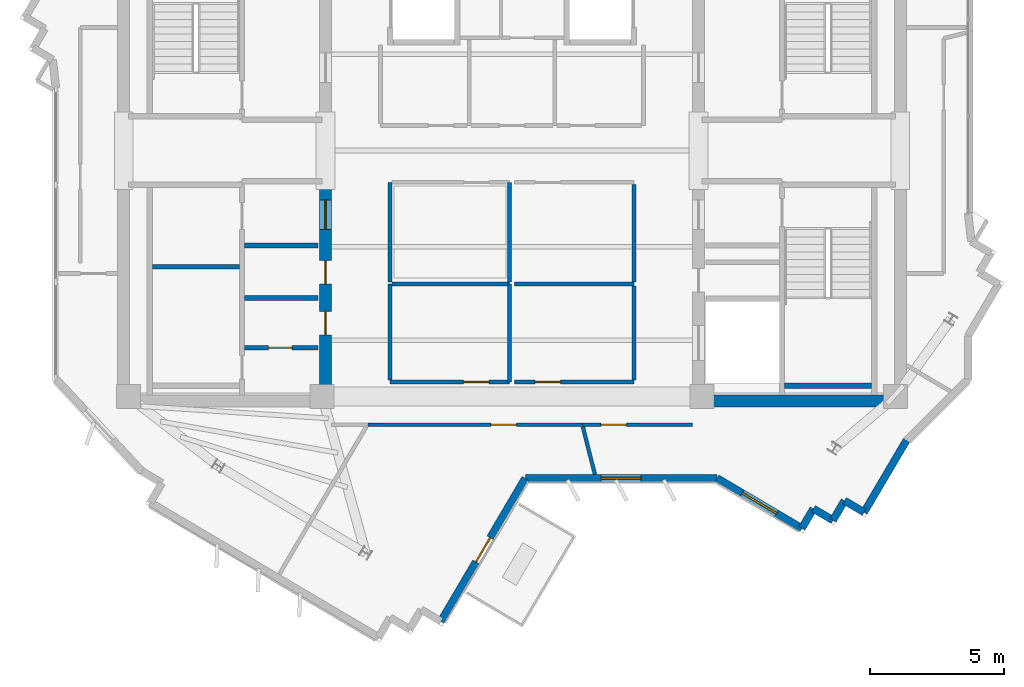
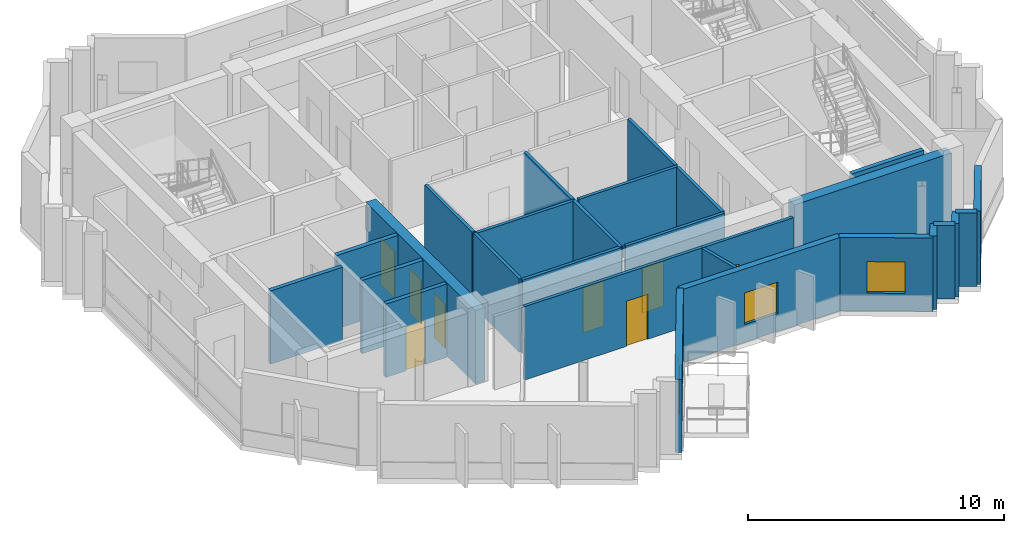
# One storey, part 4 of 10: 28 walls, 9 doors, 2 windows, 11 openings.
"""IFC4 building model written with IfcOpenShell, lengths in metres."""

import ifcopenshell
import ifcopenshell.guid

model = None  # the IFC model being written
_history = None  # IfcOwnerHistory: only IFC2X3 demands one
_inside = {}  # id of a spatial element -> (the spatial element, [elements in it])
_under = {}  # id of a project, library or spatial element -> (it, [spatial elements below it])
_declared = {}  # id of a project -> (the project, [libraries it declares])
_typed = {}  # id of a type object -> (the type object, [elements of that type])
_made_of = {}  # id of a material, layer set ... -> (it, [elements and type objects made of it])


def new_model(schema):
    """Start an empty IFC model of exactly this schema.

    Asked for "IFC4X3", IfcOpenShell would pick the latest addendum, in which some entities
    have other attributes; the version numbers below select the first issue.
    IFC2X3 requires an IfcOwnerHistory on every rooted entity: one is made here for all.
    """
    global model, _history
    if schema == "IFC4X3":
        model = ifcopenshell.file(schema_version=(4, 3, 0, 0))
    else:
        model = ifcopenshell.file(schema=schema)
    _inside.clear()
    _under.clear()
    _declared.clear()
    _typed.clear()
    _made_of.clear()
    _history = None
    if model.schema == "IFC2X3":
        org = make("IfcOrganization", Name="unknown")
        user = make(
            "IfcPersonAndOrganization",
            ThePerson=make("IfcPerson", FamilyName="unknown"),
            TheOrganization=org,
        )
        app = make(
            "IfcApplication",
            ApplicationDeveloper=org,
            Version="unknown",
            ApplicationFullName="unknown",
            ApplicationIdentifier="unknown",
        )
        _history = make(
            "IfcOwnerHistory",
            OwningUser=user,
            OwningApplication=app,
            ChangeAction="ADDED",
            CreationDate=0,
        )
    return model


def make(cls, **values):
    """One entity of the class cls with the attributes given. An attribute that is None is left unset."""
    return model.create_entity(
        cls, **{name: value for name, value in values.items() if value is not None}
    )


def rooted(cls, **values):
    """An entity with a GlobalId (a new one), such as an element, a storey or a relation."""
    return make(cls, GlobalId=ifcopenshell.guid.new(), OwnerHistory=_history, **values)


def si_unit(unit_type, name, prefix=None):
    """IfcSIUnit, for example si_unit("LENGTHUNIT", "METRE", prefix="MILLI")."""
    return make("IfcSIUnit", UnitType=unit_type, Prefix=prefix, Name=name)


def assignment(units):
    """IfcUnitAssignment: the units of a project."""
    return None if units is None else make("IfcUnitAssignment", Units=units)


def point(xyz):
    """IfcCartesianPoint."""
    return None if xyz is None else make("IfcCartesianPoint", Coordinates=xyz)


def direction(xyz):
    """IfcDirection."""
    return None if xyz is None else make("IfcDirection", DirectionRatios=xyz)


def frame(location, z_axis=None, x_axis=None):
    """IfcAxis2Placement3D, a coordinate frame: its origin and axes. An axis left out is left unset."""
    return make(
        "IfcAxis2Placement3D",
        Location=point(location),
        Axis=direction(z_axis),
        RefDirection=direction(x_axis),
    )


def frame_2d(location, x_axis=None):
    """IfcAxis2Placement2D, a coordinate frame in the plane: its origin and x axis."""
    return make(
        "IfcAxis2Placement2D", Location=point(location), RefDirection=direction(x_axis)
    )


def origin():
    """The frame at (0, 0, 0) with its axes left unset."""
    return frame((0.0, 0.0, 0.0))


def place(relative_to, where):
    """IfcLocalPlacement: puts the frame where relative to a parent placement (None: the world)."""
    return make(
        "IfcLocalPlacement", PlacementRelTo=relative_to, RelativePlacement=where
    )


def context(
    kind, dimensions, precision=None, world=None, true_north=None, identifier=None
):
    """IfcGeometricRepresentationContext, for example the 3D "Model" context."""
    return make(
        "IfcGeometricRepresentationContext",
        ContextIdentifier=identifier,
        ContextType=kind,
        CoordinateSpaceDimension=dimensions,
        Precision=precision,
        WorldCoordinateSystem=world,
        TrueNorth=true_north,
    )


def subcontext(parent, identifier, kind, view, scale=None):
    """IfcGeometricRepresentationSubContext, for example "Body" below "Model"."""
    return make(
        "IfcGeometricRepresentationSubContext",
        ContextIdentifier=identifier,
        ContextType=kind,
        ParentContext=parent,
        TargetScale=scale,
        TargetView=view,
    )


def project(units=None, contexts=None):
    """IfcProject with its units and contexts."""
    return rooted(
        "IfcProject",
        Name="project",
        RepresentationContexts=contexts,
        UnitsInContext=assignment(units),
    )


def spatial(cls, under=None, at=None, **own):
    """A site, building, storey or space (cls), placed at a placement, below another one or the project."""
    s = rooted(cls, ObjectPlacement=at, **own)
    if under is not None:
        _under.setdefault(under.id(), (under, []))[1].append(s)
    return s


def profile(cls, at=None, kind="AREA", **sizes):
    """A parametric profile (cls). Its sizes go by their IFC names, for example OverallWidth=200.0."""
    return make(cls, ProfileType=kind, Position=at, **sizes)


def rectangle(**sizes):
    """IfcRectangleProfileDef."""
    return profile("IfcRectangleProfileDef", **sizes)


def extrude(swept, where, along, depth):
    """IfcExtrudedAreaSolid: the profile swept, set in the frame where, extruded along a direction by depth."""
    return make(
        "IfcExtrudedAreaSolid",
        SweptArea=swept,
        Position=where,
        ExtrudedDirection=direction(along),
        Depth=depth,
    )


def shape(context_of_items, identifier, shape_type, items):
    """IfcShapeRepresentation: the items that make up one representation, for example the "Body"."""
    return make(
        "IfcShapeRepresentation",
        ContextOfItems=context_of_items,
        RepresentationIdentifier=identifier,
        RepresentationType=shape_type,
        Items=items,
    )


def source(mapping_origin, context_of_items, identifier, shape_type, items):
    """IfcRepresentationMap: a shape defined once, which mapped items show again and again."""
    return make(
        "IfcRepresentationMap",
        MappingOrigin=mapping_origin,
        MappedRepresentation=shape(context_of_items, identifier, shape_type, items),
    )


def transform(
    local_origin,
    x_axis=None,
    y_axis=None,
    z_axis=None,
    scale=None,
    scale2=None,
    scale3=None,
    uniform=True,
):
    """IfcCartesianTransformationOperator3D, or its non-uniform kind. x_axis, y_axis, z_axis: its Axis1, 2, 3."""
    if uniform:
        return make(
            "IfcCartesianTransformationOperator3D",
            Axis1=direction(x_axis),
            Axis2=direction(y_axis),
            LocalOrigin=point(local_origin),
            Scale=scale,
            Axis3=direction(z_axis),
        )
    return make(
        "IfcCartesianTransformationOperator3DnonUniform",
        Axis1=direction(x_axis),
        Axis2=direction(y_axis),
        LocalOrigin=point(local_origin),
        Scale=scale,
        Axis3=direction(z_axis),
        Scale2=scale2,
        Scale3=scale3,
    )


def mapped(mapping_source, mapping_target):
    """IfcMappedItem: shows the shape of a source again, moved by a transform."""
    return make(
        "IfcMappedItem", MappingSource=mapping_source, MappingTarget=mapping_target
    )


def material(Name=None, Category=None):
    """IfcMaterial."""
    return make("IfcMaterial", Name=Name, Category=Category)


def layer(
    of_material, thickness, ventilated=None, Name=None, Category=None, Priority=None
):
    """IfcMaterialLayer: one layer of a wall or slab, of a material (None: an air gap)."""
    return make(
        "IfcMaterialLayer",
        Material=of_material,
        LayerThickness=thickness,
        IsVentilated=ventilated,
        Name=Name,
        Category=Category,
        Priority=Priority,
    )


def layer_set(layers, Name=None):
    """IfcMaterialLayerSet."""
    return make("IfcMaterialLayerSet", MaterialLayers=layers, LayerSetName=Name)


def made_of(thing, what):
    """Note that an element or type object is made of a material, layer set ...; save() writes the relation."""
    if what is not None:
        _made_of.setdefault(what.id(), (what, []))[1].append(thing)
    return thing


def type_object(cls, material=None, **own):
    """A type object (cls), such as IfcWallType, which elements share."""
    return made_of(rooted(cls, **own), material)


def element(
    cls,
    number,
    at=None,
    inside=None,
    cuts=None,
    type_object=None,
    material=None,
    context=None,
    identifier="Body",
    shape_type=None,
    held_by="IfcProductDefinitionShape",
    body=None,
    shapes=None,
    **own,
):
    """One element of the class cls, such as IfcWall. Its Tag is "e" and its number.

    at: its placement. inside: the storey or other place that contains it. cuts: it is an
    opening in that element (IfcRelVoidsElement). A single representation is given by context,
    identifier, shape_type and body (its items); several are given by shapes. held_by: the class
    of the entity that holds the representations. save() writes the other relations.
    """
    e = rooted(cls, Tag="e%d" % number, ObjectPlacement=at, **own)
    if body is not None:
        shapes = [shape(context, identifier, shape_type, body)]
    if shapes is not None:
        e.Representation = make(held_by, Representations=shapes)
    if inside is not None:
        _inside.setdefault(inside.id(), (inside, []))[1].append(e)
    if cuts is not None:
        rooted(
            "IfcRelVoidsElement", RelatingBuildingElement=cuts, RelatedOpeningElement=e
        )
    if type_object is not None:
        _typed.setdefault(type_object.id(), (type_object, []))[1].append(e)
    return made_of(e, material)


def fill(opening, filler):
    """IfcRelFillsElement: the door or window that sits in an opening."""
    return rooted(
        "IfcRelFillsElement",
        RelatingOpeningElement=opening,
        RelatedBuildingElement=filler,
    )


def aggregate(whole, parts):
    """IfcRelAggregates: a whole, such as a stair, and the parts it consists of."""
    return rooted("IfcRelAggregates", RelatingObject=whole, RelatedObjects=parts)


def save(model, path):
    """Write the relations noted so far, then the file.

    IfcRelAggregates (storeys below a building ...), IfcRelContainedInSpatialStructure (elements
    in a storey), IfcRelDefinesByType, IfcRelAssociatesMaterial and IfcRelDeclares: one each for
    every whole, place, type object, material and project.
    """
    for whole, parts in _under.values():
        aggregate(whole, parts)
    for where, things in _inside.values():
        rooted(
            "IfcRelContainedInSpatialStructure",
            RelatedElements=things,
            RelatingStructure=where,
        )
    for kind, things in _typed.values():
        rooted("IfcRelDefinesByType", RelatedObjects=things, RelatingType=kind)
    for what, things in _made_of.values():
        rooted("IfcRelAssociatesMaterial", RelatedObjects=things, RelatingMaterial=what)
    for by, libraries in _declared.values():
        rooted("IfcRelDeclares", RelatingContext=by, RelatedDefinitions=libraries)
    model.write(path)


model = new_model("IFC4")

# Units and contexts
model_context = context("Model", 3, precision=1e-05, world=origin(), true_north=direction((0.0, 1.0)))
body_context = subcontext(model_context, "Body", "Model", "MODEL_VIEW")
ifc_project = project(units=[si_unit("LENGTHUNIT", "METRE"), si_unit("AREAUNIT", "SQUARE_METRE"), si_unit("VOLUMEUNIT", "CUBIC_METRE"), si_unit("PLANEANGLEUNIT", "RADIAN"), si_unit("MASSUNIT", "GRAM", prefix="KILO")], contexts=[model_context])

# Site, building, storey
site_placement = place(None, origin())
site = spatial("IfcSite", under=ifc_project, at=site_placement, CompositionType="ELEMENT")
building_placement = place(site_placement, origin())
building = spatial("IfcBuilding", under=site, at=building_placement, Name="Zahravan Cultural Tower", CompositionType="ELEMENT")
storey_placement = place(building_placement, frame((0.0, 0.0, 342.300048828125)))
storey = spatial("IfcBuildingStorey", under=building, at=storey_placement, Name="L83", CompositionType="ELEMENT", Elevation=342.300048828125)

# Wall, openings, doors
ifc_material_1 = material(Name="Concrete C50/60", Category="concrete")
ifc_layer_1 = layer(ifc_material_1, 0.449951171875)
ifc_layer_set_1 = layer_set([ifc_layer_1], Name="Concrete C50/60")
wall_type_1 = type_object("IfcWallType", Name="CW-SHEAR-450-C50", PredefinedType="SHEAR", material=ifc_layer_set_1)
wall_1_placement = place(storey_placement, frame((29.02490234375, 17.39990234375, 0.0), z_axis=(0.0, 0.0, 1.0), x_axis=(0.0, 1.0, 0.0)))
wall_1 = element("IfcWall", 1, at=wall_1_placement, inside=storey, type_object=wall_type_1, Name="L83 Core Shear Wall CW-W-ES-L83", PredefinedType="SHEAR", context=body_context, shape_type="SweptSolid", body=[
    extrude(rectangle(XDim=8.550048828125, YDim=0.449951171875, at=frame_2d((4.27490234375, 0.0))), origin(), (0.0, 0.0, 1.0), 3.5),
])
opening_1_placement = place(wall_1_placement, frame((6.64990234375, 0.0, 0.0)))
opening_1 = element("IfcOpeningElement", 2, at=opening_1_placement, cuts=wall_1, Name="Opening D-L83-08", PredefinedType="OPENING", context=body_context, shape_type="SweptSolid", body=[
    extrude(rectangle(XDim=1.10009765625, YDim=2.199951171875, at=frame_2d((0.550048828125, 1.10009765625))), frame((0.0, 0.23486328125, 0.0), z_axis=(0.0, -1.0, 0.0), x_axis=(1.0, 0.0, 0.0)), (0.0, 0.0, 1.0), 0.469970703125),
])
opening_2_placement = place(wall_1_placement, frame((2.699951171875, 0.0, 0.0)))
opening_2 = element("IfcOpeningElement", 3, at=opening_2_placement, cuts=wall_1, Name="Opening D-L83-11", PredefinedType="OPENING", context=body_context, shape_type="SweptSolid", body=[
    extrude(rectangle(XDim=0.8798828125, YDim=2.10009765625, at=frame_2d((0.43994140625, 1.050048828125))), frame((0.0, 0.23486328125, 0.0), z_axis=(0.0, -1.0, 0.0), x_axis=(1.0, 0.0, 0.0)), (0.0, 0.0, 1.0), 0.469970703125),
])
opening_3_placement = place(wall_1_placement, frame((4.60009765625, 0.0, 0.0)))
opening_3 = element("IfcOpeningElement", 4, at=opening_3_placement, cuts=wall_1, Name="Opening D-L83-12", PredefinedType="OPENING", context=body_context, shape_type="SweptSolid", body=[
    extrude(rectangle(XDim=0.8798828125, YDim=2.10009765625, at=frame_2d((0.43994140625, 1.050048828125))), frame((0.0, 0.23486328125, 0.0), z_axis=(0.0, -1.0, 0.0), x_axis=(1.0, 0.0, 0.0)), (0.0, 0.0, 1.0), 0.469970703125),
])
ifc_material_2 = material(Name="Steel ASTM A572 Grade 50", Category="steel")
door_type_1 = type_object("IfcDoorType", Name="DR-LOBBY-1100", OperationType="NOTDEFINED", PredefinedType="DOOR", material=ifc_material_2)
shared_shape_1 = source(origin(), body_context, "Body", "SweptSolid", [
    extrude(rectangle(XDim=1.10009765625, YDim=2.199951171875, at=frame_2d((0.550048828125, 1.10009765625))), frame((0.0, 0.02490234375, 0.0), z_axis=(0.0, -1.0, 0.0), x_axis=(1.0, 0.0, 0.0)), (0.0, 0.0, 1.0), 0.050048828125),
])
door_1_placement = place(opening_1_placement, origin())
door_1 = element("IfcDoor", 5, at=door_1_placement, inside=storey, type_object=door_type_1, Name="L83 Door D-L83-08", OperationType="SINGLE_SWING_LEFT", OverallHeight=2.199951171875, OverallWidth=1.10009765625, PredefinedType="DOOR", context=body_context, shape_type="MappedRepresentation", body=[
    mapped(shared_shape_1, transform((0.0, 0.0, 0.0), x_axis=(1.0, 0.0, 0.0), y_axis=(0.0, 1.0, 0.0), z_axis=(0.0, 0.0, 1.0), scale=1.0)),
])
fill(opening_1, door_1)
door_type_2 = type_object("IfcDoorType", Name="DR-SVC-880", OperationType="NOTDEFINED", PredefinedType="DOOR", material=ifc_material_2)
shared_shape_2 = source(origin(), body_context, "Body", "SweptSolid", [
    extrude(rectangle(XDim=0.8798828125, YDim=2.10009765625, at=frame_2d((0.43994140625, 1.050048828125))), frame((0.0, 0.02490234375, 0.0), z_axis=(0.0, -1.0, 0.0), x_axis=(1.0, 0.0, 0.0)), (0.0, 0.0, 1.0), 0.050048828125),
])
door_2_placement = place(opening_2_placement, origin())
door_2 = element("IfcDoor", 6, at=door_2_placement, inside=storey, type_object=door_type_2, Name="L83 Door D-L83-11", OperationType="SINGLE_SWING_RIGHT", OverallHeight=2.10009765625, OverallWidth=0.8798828125, PredefinedType="DOOR", context=body_context, shape_type="MappedRepresentation", body=[
    mapped(shared_shape_2, transform((0.0, 0.0, 0.0), x_axis=(1.0, 0.0, 0.0), y_axis=(0.0, 1.0, 0.0), z_axis=(0.0, 0.0, 1.0), scale=1.0)),
])
fill(opening_2, door_2)
door_3_placement = place(opening_3_placement, origin())
door_3 = element("IfcDoor", 7, at=door_3_placement, inside=storey, type_object=door_type_2, Name="L83 Door D-L83-12", OperationType="SINGLE_SWING_LEFT", OverallHeight=2.10009765625, OverallWidth=0.8798828125, PredefinedType="DOOR", context=body_context, shape_type="MappedRepresentation", body=[
    mapped(shared_shape_2, transform((0.0, 0.0, 0.0), x_axis=(1.0, 0.0, 0.0), y_axis=(0.0, 1.0, 0.0), z_axis=(0.0, 0.0, 1.0), scale=1.0)),
])
fill(opening_3, door_3)

# Wall, opening, window
ifc_material_3 = material(Name="Precast concrete C40/50", Category="concrete")
ifc_layer_2 = layer(ifc_material_3, 0.280029296875)
ifc_layer_set_2 = layer_set([ifc_layer_2], Name="Precast concrete C40/50")
wall_type_2 = type_object("IfcWallType", Name="EW-TC-280", PredefinedType="SOLIDWALL", material=ifc_layer_set_2)
wall_2_placement = place(storey_placement, frame((46.841552734375, 12.867431640625, 0.0), z_axis=(0.0, 0.0, 1.0), x_axis=(-0.861166561994, 0.508322882137, 0.0)))
wall_2 = element("IfcWall", 8, at=wall_2_placement, inside=storey, type_object=wall_type_2, Name="L83 Exterior Masonry Frame Wall 22", PredefinedType="SOLIDWALL", context=body_context, shape_type="SweptSolid", body=[
    extrude(rectangle(XDim=3.683837890625, YDim=0.280029296875, at=frame_2d((1.841796875, 0.0))), origin(), (0.0, 0.0, 1.0), 3.5),
])
opening_4_placement = place(wall_2_placement, frame((1.092041015625, 0.0, 0.85009765625)))
opening_4 = element("IfcOpeningElement", 9, at=opening_4_placement, cuts=wall_2, Name="Opening WN-03", PredefinedType="OPENING", context=body_context, shape_type="SweptSolid", body=[
    extrude(rectangle(XDim=1.5, YDim=1.5, at=frame_2d((0.75, 0.75))), frame((0.0, 0.14990234375, 0.0), z_axis=(0.0, -1.0, 0.0), x_axis=(1.0, 0.0, 0.0)), (0.0, 0.0, 1.0), 0.300048828125),
])
ifc_material_4 = material(Name="Low-E solar-control double glazing", Category="glass")
window_type = type_object("IfcWindowType", Name="WN-REC-1500X1500", PartitioningType="SINGLE_PANEL", PredefinedType="WINDOW", material=ifc_material_4)
shared_shape_3 = source(origin(), body_context, "Body", "SweptSolid", [
    extrude(rectangle(XDim=1.5, YDim=1.5, at=frame_2d((0.75, 0.75))), frame((0.0, 0.030029296875, 0.0), z_axis=(0.0, -1.0, 0.0), x_axis=(1.0, 0.0, 0.0)), (0.0, 0.0, 1.0), 0.06005859375),
])
window_1_placement = place(opening_4_placement, origin())
window_1 = element("IfcWindow", 10, at=window_1_placement, inside=storey, type_object=window_type, Name="L83 Recessed Solar Window 04", OverallHeight=1.5, OverallWidth=1.5, PartitioningType="SINGLE_PANEL", PredefinedType="WINDOW", context=body_context, shape_type="MappedRepresentation", body=[
    mapped(shared_shape_3, transform((0.0, 0.0, 0.0), x_axis=(1.0, 0.0, 0.0), y_axis=(0.0, 1.0, 0.0), z_axis=(0.0, 0.0, 1.0), scale=1.0)),
])
fill(opening_4, window_1)

wall_3_placement = place(storey_placement, frame((43.669189453125, 14.739990234375, 0.0), z_axis=(0.0, 0.0, 1.0), x_axis=(-1.0, 0.0, 0.0)))
wall_3 = element("IfcWall", 11, at=wall_3_placement, inside=storey, type_object=wall_type_2, Name="L83 Exterior Masonry Frame Wall 23", PredefinedType="SOLIDWALL", context=body_context, shape_type="SweptSolid", body=[
    extrude(rectangle(XDim=7.171875, YDim=0.280029296875, at=frame_2d((3.5859375, 0.0))), origin(), (0.0, 0.0, 1.0), 3.5),
])
opening_5_placement = place(wall_3_placement, frame((2.8359375, 0.0, 0.85009765625)))
opening_5 = element("IfcOpeningElement", 12, at=opening_5_placement, cuts=wall_3, Name="Opening WN-03", PredefinedType="OPENING", context=body_context, shape_type="SweptSolid", body=[
    extrude(rectangle(XDim=1.5, YDim=1.5, at=frame_2d((0.75, 0.75))), frame((0.0, 0.14990234375, 0.0), z_axis=(0.0, -1.0, 0.0), x_axis=(1.0, 0.0, 0.0)), (0.0, 0.0, 1.0), 0.300048828125),
])
window_2_placement = place(opening_5_placement, origin())
window_2 = element("IfcWindow", 13, at=window_2_placement, inside=storey, type_object=window_type, Name="L83 Recessed Solar Window 05", OverallHeight=1.5, OverallWidth=1.5, PartitioningType="SINGLE_PANEL", PredefinedType="WINDOW", context=body_context, shape_type="MappedRepresentation", body=[
    mapped(shared_shape_3, transform((0.0, 0.0, 0.0), x_axis=(1.0, 0.0, 0.0), y_axis=(0.0, 1.0, 0.0), z_axis=(0.0, 0.0, 1.0), scale=1.0)),
])
fill(opening_5, window_2)

# Wall, opening, door
wall_4_placement = place(storey_placement, frame((36.497314453125, 14.739990234375, 0.0), z_axis=(0.0, 0.0, 1.0), x_axis=(-0.508266003384, -0.861200133421, 0.0)))
wall_4 = element("IfcWall", 14, at=wall_4_placement, inside=storey, type_object=wall_type_2, Name="L83 Exterior Masonry Frame Wall 24", PredefinedType="SOLIDWALL", context=body_context, shape_type="SweptSolid", body=[
    extrude(rectangle(XDim=6.214599609375, YDim=0.280029296875, at=frame_2d((3.107421875, 0.0))), origin(), (0.0, 0.0, 1.0), 3.5),
])
opening_6_placement = place(wall_4_placement, frame((2.58203125, 0.0, 0.0)))
opening_6 = element("IfcOpeningElement", 15, at=opening_6_placement, cuts=wall_4, Name="Opening D-L83-TR-SW", PredefinedType="OPENING", context=body_context, shape_type="SweptSolid", body=[
    extrude(rectangle(XDim=1.050048828125, YDim=2.14990234375, at=frame_2d((0.52490234375, 1.074951171875))), frame((0.0, 0.14990234375, 0.0), z_axis=(0.0, -1.0, 0.0), x_axis=(1.0, 0.0, 0.0)), (0.0, 0.0, 1.0), 0.300048828125),
])
ifc_material_5 = material(Name="Anodised bronze-aluminium mullion", Category="aluminium")
door_type_3 = type_object("IfcDoorType", Name="DR-TERR-1050", OperationType="NOTDEFINED", PredefinedType="DOOR", material=ifc_material_5)
shared_shape_4 = source(origin(), body_context, "Body", "SweptSolid", [
    extrude(rectangle(XDim=1.050048828125, YDim=2.14990234375, at=frame_2d((0.52490234375, 1.074951171875))), frame((0.0, 0.02490234375, 0.0), z_axis=(0.0, -1.0, 0.0), x_axis=(1.0, 0.0, 0.0)), (0.0, 0.0, 1.0), 0.050048828125),
])
door_4_placement = place(opening_6_placement, origin())
door_4 = element("IfcDoor", 16, at=door_4_placement, inside=storey, type_object=door_type_3, Name="L83 Terrace Access Door SW", OperationType="SINGLE_SWING_RIGHT", OverallHeight=2.14990234375, OverallWidth=1.050048828125, PredefinedType="DOOR", context=body_context, shape_type="MappedRepresentation", body=[
    mapped(shared_shape_4, transform((0.0, 0.0, 0.0), x_axis=(1.0, 0.0, 0.0), y_axis=(0.0, 1.0, 0.0), z_axis=(0.0, 0.0, 1.0), scale=1.0)),
])
fill(opening_6, door_4)

ifc_material_6 = material(Name="Gypsum plasterboard partition")
ifc_layer_3 = layer(ifc_material_6, 0.179931640625)
ifc_layer_set_3 = layer_set([ifc_layer_3], Name="Gypsum plasterboard partition")
wall_type_3 = type_object("IfcWallType", Name="W-COMP-180", PredefinedType="PARTITIONING", material=ifc_layer_set_3)
wall_5_placement = place(storey_placement, frame((26.0, 19.6201171875, 0.0), z_axis=(0.0, 0.0, 1.0), x_axis=(1.0, 0.0, 0.0)))
wall_5 = element("IfcWall", 17, at=wall_5_placement, inside=storey, type_object=wall_type_3, Name="L83 Interior Wall 027", PredefinedType="PARTITIONING", context=body_context, shape_type="SweptSolid", body=[
    extrude(rectangle(XDim=2.75, YDim=0.179931640625, at=frame_2d((1.375, 0.0))), origin(), (0.0, 0.0, 1.0), 3.5),
])
opening_7_placement = place(wall_5_placement, frame((0.89990234375, 0.0, 0.0)))
opening_7 = element("IfcOpeningElement", 18, at=opening_7_placement, cuts=wall_5, Name="Opening D-L83-10", PredefinedType="OPENING", context=body_context, shape_type="SweptSolid", body=[
    extrude(rectangle(XDim=0.8798828125, YDim=2.10009765625, at=frame_2d((0.43994140625, 1.050048828125))), frame((0.0, 0.099853515625, 0.0), z_axis=(0.0, -1.0, 0.0), x_axis=(1.0, 0.0, 0.0)), (0.0, 0.0, 1.0), 0.199951171875),
])
door_5_placement = place(opening_7_placement, origin())
door_5 = element("IfcDoor", 19, at=door_5_placement, inside=storey, type_object=door_type_2, Name="L83 Door D-L83-10", OperationType="SINGLE_SWING_LEFT", OverallHeight=2.10009765625, OverallWidth=0.8798828125, PredefinedType="DOOR", context=body_context, shape_type="MappedRepresentation", body=[
    mapped(shared_shape_2, transform((0.0, 0.0, 0.0), x_axis=(1.0, 0.0, 0.0), y_axis=(0.0, 1.0, 0.0), z_axis=(0.0, 0.0, 1.0), scale=1.0)),
])
fill(opening_7, door_5)

ifc_layer_4 = layer(ifc_material_6, 0.139892578125)
ifc_layer_set_4 = layer_set([ifc_layer_4], Name="Gypsum plasterboard partition")
wall_type_4 = type_object("IfcWallType", Name="W-PART-140", PredefinedType="PARTITIONING", material=ifc_layer_set_4)
wall_6_placement = place(storey_placement, frame((35.909912109375, 18.340087890625, 0.0), z_axis=(0.0, 0.0, 1.0), x_axis=(-1.0, 0.0, 0.0)))
wall_6 = element("IfcWall", 20, at=wall_6_placement, inside=storey, type_object=wall_type_4, Name="L83 Interior Wall 058", PredefinedType="PARTITIONING", context=body_context, shape_type="SweptSolid", body=[
    extrude(rectangle(XDim=4.469970703125, YDim=0.139892578125, at=frame_2d((2.23486328125, 0.0))), origin(), (0.0, 0.0, 1.0), 3.5),
])
opening_8_placement = place(wall_6_placement, frame((0.7744140625, 0.0, 0.0)))
opening_8 = element("IfcOpeningElement", 21, at=opening_8_placement, cuts=wall_6, Name="Opening D-L83-14", PredefinedType="OPENING", context=body_context, shape_type="SweptSolid", body=[
    extrude(rectangle(XDim=0.949951171875, YDim=2.14990234375, at=frame_2d((0.47509765625, 1.074951171875))), frame((0.0, 0.079833984375, 0.0), z_axis=(0.0, -1.0, 0.0), x_axis=(1.0, 0.0, 0.0)), (0.0, 0.0, 1.0), 0.159912109375),
])
door_type_4 = type_object("IfcDoorType", Name="DR-ROOM-950", OperationType="NOTDEFINED", PredefinedType="DOOR", material=ifc_material_5)
shared_shape_5 = source(origin(), body_context, "Body", "SweptSolid", [
    extrude(rectangle(XDim=0.949951171875, YDim=2.14990234375, at=frame_2d((0.47509765625, 1.074951171875))), frame((0.0, 0.02490234375, 0.0), z_axis=(0.0, -1.0, 0.0), x_axis=(1.0, 0.0, 0.0)), (0.0, 0.0, 1.0), 0.050048828125),
])
door_6_placement = place(opening_8_placement, origin())
door_6 = element("IfcDoor", 22, at=door_6_placement, inside=storey, type_object=door_type_4, Name="L83 Door D-L83-14", OperationType="SINGLE_SWING_LEFT", OverallHeight=2.14990234375, OverallWidth=0.949951171875, PredefinedType="DOOR", context=body_context, shape_type="MappedRepresentation", body=[
    mapped(shared_shape_5, transform((0.0, 0.0, 0.0), x_axis=(1.0, 0.0, 0.0), y_axis=(0.0, 1.0, 0.0), z_axis=(0.0, 0.0, 1.0), scale=1.0)),
])
fill(opening_8, door_6)

wall_7_placement = place(storey_placement, frame((40.56005859375, 18.340087890625, 0.0), z_axis=(0.0, 0.0, 1.0), x_axis=(-1.0, 0.0, 0.0)))
wall_7 = element("IfcWall", 23, at=wall_7_placement, inside=storey, type_object=wall_type_4, Name="L83 Interior Wall 062", PredefinedType="PARTITIONING", context=body_context, shape_type="SweptSolid", body=[
    extrude(rectangle(XDim=4.469970703125, YDim=0.139892578125, at=frame_2d((2.23486328125, 0.0))), origin(), (0.0, 0.0, 1.0), 3.5),
])
opening_9_placement = place(wall_7_placement, frame((2.74560546875, 0.0, 0.0)))
opening_9 = element("IfcOpeningElement", 24, at=opening_9_placement, cuts=wall_7, Name="Opening D-L83-16", PredefinedType="OPENING", context=body_context, shape_type="SweptSolid", body=[
    extrude(rectangle(XDim=0.949951171875, YDim=2.14990234375, at=frame_2d((0.47509765625, 1.074951171875))), frame((0.0, 0.079833984375, 0.0), z_axis=(0.0, -1.0, 0.0), x_axis=(1.0, 0.0, 0.0)), (0.0, 0.0, 1.0), 0.159912109375),
])
door_7_placement = place(opening_9_placement, origin())
door_7 = element("IfcDoor", 25, at=door_7_placement, inside=storey, type_object=door_type_4, Name="L83 Door D-L83-16", OperationType="SINGLE_SWING_LEFT", OverallHeight=2.14990234375, OverallWidth=0.949951171875, PredefinedType="DOOR", context=body_context, shape_type="MappedRepresentation", body=[
    mapped(shared_shape_5, transform((0.0, 0.0, 0.0), x_axis=(1.0, 0.0, 0.0), y_axis=(0.0, 1.0, 0.0), z_axis=(0.0, 0.0, 1.0), scale=1.0)),
])
fill(opening_9, door_7)

wall_8_placement = place(storey_placement, frame((38.632080078125, 16.739990234375, 0.0), z_axis=(0.0, 0.0, 1.0), x_axis=(1.0, 0.0, 0.0)))
wall_8 = element("IfcWall", 26, at=wall_8_placement, inside=storey, type_object=wall_type_4, Name="L83 Interior Wall 076", PredefinedType="PARTITIONING", context=body_context, shape_type="SweptSolid", body=[
    extrude(rectangle(XDim=4.112060546875, YDim=0.139892578125, at=frame_2d((2.05615234375, 0.0))), origin(), (0.0, 0.0, 1.0), 3.5),
])
opening_10_placement = place(wall_8_placement, frame((0.695556640625, 0.0, 0.0)))
opening_10 = element("IfcOpeningElement", 27, at=opening_10_placement, cuts=wall_8, Name="Opening D-L83-27", PredefinedType="OPENING", context=body_context, shape_type="SweptSolid", body=[
    extrude(rectangle(XDim=0.949951171875, YDim=2.14990234375, at=frame_2d((0.47509765625, 1.074951171875))), frame((0.0, 0.079833984375, 0.0), z_axis=(0.0, -1.0, 0.0), x_axis=(1.0, 0.0, 0.0)), (0.0, 0.0, 1.0), 0.159912109375),
])
door_8_placement = place(opening_10_placement, origin())
door_8 = element("IfcDoor", 28, at=door_8_placement, inside=storey, type_object=door_type_4, Name="L83 Door D-L83-27", OperationType="SINGLE_SWING_RIGHT", OverallHeight=2.14990234375, OverallWidth=0.949951171875, PredefinedType="DOOR", context=body_context, shape_type="MappedRepresentation", body=[
    mapped(shared_shape_5, transform((0.0, 0.0, 0.0), x_axis=(1.0, 0.0, 0.0), y_axis=(0.0, 1.0, 0.0), z_axis=(0.0, 0.0, 1.0), scale=1.0)),
])
fill(opening_10, door_8)

wall_9_placement = place(storey_placement, frame((30.617919921875, 16.739990234375, 0.0), z_axis=(0.0, 0.0, 1.0), x_axis=(1.0, 0.0, 0.0)))
wall_9 = element("IfcWall", 29, at=wall_9_placement, inside=storey, type_object=wall_type_4, Name="L83 Interior Wall 081", PredefinedType="PARTITIONING", context=body_context, shape_type="SweptSolid", body=[
    extrude(rectangle(XDim=8.01416015625, YDim=0.139892578125, at=frame_2d((4.007080078125, 0.0))), origin(), (0.0, 0.0, 1.0), 3.5),
])
opening_11_placement = place(wall_9_placement, frame((4.591796875, 0.0, 0.0)))
opening_11 = element("IfcOpeningElement", 30, at=opening_11_placement, cuts=wall_9, Name="Opening D-L83-26", PredefinedType="OPENING", context=body_context, shape_type="SweptSolid", body=[
    extrude(rectangle(XDim=0.949951171875, YDim=2.14990234375, at=frame_2d((0.47509765625, 1.074951171875))), frame((0.0, 0.079833984375, 0.0), z_axis=(0.0, -1.0, 0.0), x_axis=(1.0, 0.0, 0.0)), (0.0, 0.0, 1.0), 0.159912109375),
])
door_9_placement = place(opening_11_placement, origin())
door_9 = element("IfcDoor", 31, at=door_9_placement, inside=storey, type_object=door_type_4, Name="L83 Door D-L83-26", OperationType="SINGLE_SWING_LEFT", OverallHeight=2.14990234375, OverallWidth=0.949951171875, PredefinedType="DOOR", context=body_context, shape_type="MappedRepresentation", body=[
    mapped(shared_shape_5, transform((0.0, 0.0, 0.0), x_axis=(1.0, 0.0, 0.0), y_axis=(0.0, 1.0, 0.0), z_axis=(0.0, 0.0, 1.0), scale=1.0)),
])
fill(opening_11, door_9)

# Walls
shared_shape_6 = source(origin(), body_context, "Body", "SweptSolid", [
    extrude(rectangle(XDim=7.10009765625, YDim=0.449951171875, at=frame_2d((3.550048828125, 0.0))), origin(), (0.0, 0.0, 1.0), 3.5),
])
wall_10_placement = place(storey_placement, frame((43.199951171875, 17.625, 0.0), z_axis=(0.0, 0.0, 1.0), x_axis=(1.0, 0.0, 0.0)))
element("IfcWall", 32, at=wall_10_placement, inside=storey, type_object=wall_type_1, Name="L83 Core Shear Wall CW-E-S-L83", PredefinedType="SHEAR", context=body_context, shape_type="MappedRepresentation", body=[
    mapped(shared_shape_6, transform((0.0, 0.0, 0.0), x_axis=(1.0, 0.0, 0.0), y_axis=(0.0, 1.0, 0.0), z_axis=(0.0, 0.0, 1.0), scale=1.0)),
])
shared_shape_7 = source(origin(), body_context, "Body", "SweptSolid", [
    extrude(rectangle(XDim=0.85009765625, YDim=0.280029296875, at=frame_2d((0.425048828125, 0.0))), origin(), (0.0, 0.0, 1.0), 3.5),
])
for number, where, z_axis, x_axis, name in (
    (33, (49.169677734375, 13.46728515625, 0.0), (0.0, 0.0, 1.0), (-0.861120885632, 0.508400256027, 0.0), "L83 Exterior Masonry Frame Wall 18"),
    (34, (48.437744140625, 13.8994140625, 0.0), (0.0, 0.0, 1.0), (-0.508400256027, -0.861120885632, 0.0), "L83 Exterior Masonry Frame Wall 19"),
    (35, (48.005615234375, 13.16748046875, 0.0), (0.0, 0.0, 1.0), (-0.861120885632, 0.508400256027, 0.0), "L83 Exterior Masonry Frame Wall 20"),
    (36, (47.273681640625, 13.599609375, 0.0), (0.0, 0.0, 1.0), (-0.508274533332, -0.861195099131, 0.0), "L83 Exterior Masonry Frame Wall 21"),
):
    element("IfcWall", number, at=place(storey_placement, frame(where, z_axis=z_axis, x_axis=x_axis)), inside=storey, type_object=wall_type_2, Name=name, PredefinedType="SOLIDWALL", context=body_context, shape_type="MappedRepresentation", body=[
        mapped(shared_shape_7, transform((0.0, 0.0, 0.0), x_axis=(1.0, 0.0, 0.0), y_axis=(0.0, 1.0, 0.0), z_axis=(0.0, 0.0, 1.0), scale=1.0)),
    ])
shared_shape_8 = source(origin(), body_context, "Body", "SweptSolid", [
    extrude(rectangle(XDim=3.117919921875, YDim=0.280029296875, at=frame_2d((1.55908203125, 0.0))), origin(), (0.0, 0.0, 1.0), 3.5),
])
wall_11_placement = place(storey_placement, frame((50.75439453125, 16.15234375, 0.0), z_axis=(0.0, 0.0, 1.0), x_axis=(-0.508275482209, -0.861194539106, 0.0)))
element("IfcWall", 37, at=wall_11_placement, inside=storey, type_object=wall_type_2, Name="L83 Exterior Masonry Frame Wall 17", PredefinedType="SOLIDWALL", context=body_context, shape_type="MappedRepresentation", body=[
    mapped(shared_shape_8, transform((0.0, 0.0, 0.0), x_axis=(1.0, 0.0, 0.0), y_axis=(0.0, 1.0, 0.0), z_axis=(0.0, 0.0, 1.0), scale=1.0)),
])
ifc_material_7 = material(Name="Concrete C45/55", Category="concrete")
ifc_layer_5 = layer(ifc_material_7, 0.199951171875)
ifc_layer_set_5 = layer_set([ifc_layer_5], Name="Concrete C45/55")
wall_type_5 = type_object("IfcWallType", Name="W-SHAFT-200", PredefinedType="SOLIDWALL", material=ifc_layer_set_5)
shared_shape_9 = source(origin(), body_context, "Body", "SweptSolid", [
    extrude(rectangle(XDim=3.25, YDim=0.199951171875, at=frame_2d((1.625, 0.0))), origin(), (0.0, 0.0, 1.0), 3.5),
])
wall_12_placement = place(storey_placement, frame((46.199951171875, 18.199951171875, 0.0), z_axis=(0.0, 0.0, 1.0), x_axis=(1.0, 0.0, 0.0)))
element("IfcWall", 38, at=wall_12_placement, inside=storey, type_object=wall_type_5, Name="L83 Interior Wall 020", PredefinedType="SOLIDWALL", context=body_context, shape_type="MappedRepresentation", body=[
    mapped(shared_shape_9, transform((0.0, 0.0, 0.0), x_axis=(1.0, 0.0, 0.0), y_axis=(0.0, 1.0, 0.0), z_axis=(0.0, 0.0, 1.0), scale=1.0)),
])
shared_shape_10 = source(origin(), body_context, "Body", "SweptSolid", [
    extrude(rectangle(XDim=3.25, YDim=0.179931640625, at=frame_2d((1.625, 0.0))), origin(), (0.0, 0.0, 1.0), 3.5),
])
wall_13_placement = place(storey_placement, frame((22.550048828125, 22.64990234375, 0.0), z_axis=(0.0, 0.0, 1.0), x_axis=(1.0, 0.0, 0.0)))
element("IfcWall", 39, at=wall_13_placement, inside=storey, type_object=wall_type_3, Name="L83 Interior Wall 021", PredefinedType="PARTITIONING", context=body_context, shape_type="MappedRepresentation", body=[
    mapped(shared_shape_10, transform((0.0, 0.0, 0.0), x_axis=(1.0, 0.0, 0.0), y_axis=(0.0, 1.0, 0.0), z_axis=(0.0, 0.0, 1.0), scale=1.0)),
])
shared_shape_11 = source(origin(), body_context, "Body", "SweptSolid", [
    extrude(rectangle(XDim=2.75, YDim=0.199951171875, at=frame_2d((1.375, 0.0))), origin(), (0.0, 0.0, 1.0), 3.5),
])
wall_14_placement = place(storey_placement, frame((26.0, 23.449951171875, 0.0), z_axis=(0.0, 0.0, 1.0), x_axis=(1.0, 0.0, 0.0)))
element("IfcWall", 40, at=wall_14_placement, inside=storey, type_object=wall_type_5, Name="L83 Interior Wall 024", PredefinedType="SOLIDWALL", context=body_context, shape_type="MappedRepresentation", body=[
    mapped(shared_shape_11, transform((0.0, 0.0, 0.0), x_axis=(1.0, 0.0, 0.0), y_axis=(0.0, 1.0, 0.0), z_axis=(0.0, 0.0, 1.0), scale=1.0)),
])
shared_shape_12 = source(origin(), body_context, "Body", "SweptSolid", [
    extrude(rectangle(XDim=2.75, YDim=0.179931640625, at=frame_2d((1.375, 0.0))), origin(), (0.0, 0.0, 1.0), 3.5),
])
wall_15_placement = place(storey_placement, frame((26.0, 21.47998046875, 0.0), z_axis=(0.0, 0.0, 1.0), x_axis=(1.0, 0.0, 0.0)))
element("IfcWall", 41, at=wall_15_placement, inside=storey, type_object=wall_type_3, Name="L83 Interior Wall 028", PredefinedType="PARTITIONING", context=body_context, shape_type="MappedRepresentation", body=[
    mapped(shared_shape_12, transform((0.0, 0.0, 0.0), x_axis=(1.0, 0.0, 0.0), y_axis=(0.0, 1.0, 0.0), z_axis=(0.0, 0.0, 1.0), scale=1.0)),
])
shared_shape_13 = source(origin(), body_context, "Body", "SweptSolid", [
    extrude(rectangle(XDim=3.594970703125, YDim=0.139892578125, at=frame_2d((1.79736328125, 0.0))), origin(), (0.0, 0.0, 1.0), 3.5),
])
wall_16_placement = place(storey_placement, frame((31.43994140625, 18.4150390625, 0.0), z_axis=(0.0, 0.0, 1.0), x_axis=(0.0, 1.0, 0.0)))
element("IfcWall", 42, at=wall_16_placement, inside=storey, type_object=wall_type_4, Name="L83 Interior Wall 059", PredefinedType="PARTITIONING", context=body_context, shape_type="MappedRepresentation", body=[
    mapped(shared_shape_13, transform((0.0, 0.0, 0.0), x_axis=(1.0, 0.0, 0.0), y_axis=(0.0, 1.0, 0.0), z_axis=(0.0, 0.0, 1.0), scale=1.0)),
])
shared_shape_14 = source(origin(), body_context, "Body", "SweptSolid", [
    extrude(rectangle(XDim=4.39501953125, YDim=0.139892578125, at=frame_2d((2.197509765625, 0.0))), origin(), (0.0, 0.0, 1.0), 3.5),
])
wall_17_placement = place(storey_placement, frame((31.514892578125, 22.010009765625, 0.0), z_axis=(0.0, 0.0, 1.0), x_axis=(1.0, 0.0, 0.0)))
element("IfcWall", 43, at=wall_17_placement, inside=storey, type_object=wall_type_4, Name="L83 Interior Wall 060", PredefinedType="PARTITIONING", context=body_context, shape_type="MappedRepresentation", body=[
    mapped(shared_shape_14, transform((0.0, 0.0, 0.0), x_axis=(1.0, 0.0, 0.0), y_axis=(0.0, 1.0, 0.0), z_axis=(0.0, 0.0, 1.0), scale=1.0)),
])
shared_shape_15 = source(origin(), body_context, "Body", "SweptSolid", [
    extrude(rectangle(XDim=3.669921875, YDim=0.139892578125, at=frame_2d((1.8349609375, 0.0))), origin(), (0.0, 0.0, 1.0), 3.5),
])
wall_18_placement = place(storey_placement, frame((35.909912109375, 22.010009765625, 0.0), z_axis=(0.0, 0.0, 1.0), x_axis=(0.0, -1.0, 0.0)))
element("IfcWall", 44, at=wall_18_placement, inside=storey, type_object=wall_type_4, Name="L83 Interior Wall 061", PredefinedType="PARTITIONING", context=body_context, shape_type="MappedRepresentation", body=[
    mapped(shared_shape_15, transform((0.0, 0.0, 0.0), x_axis=(1.0, 0.0, 0.0), y_axis=(0.0, 1.0, 0.0), z_axis=(0.0, 0.0, 1.0), scale=1.0)),
])
shared_shape_16 = source(origin(), body_context, "Body", "SweptSolid", [
    extrude(rectangle(XDim=4.469970703125, YDim=0.139892578125, at=frame_2d((2.23486328125, 0.0))), origin(), (0.0, 0.0, 1.0), 3.5),
])
wall_19_placement = place(storey_placement, frame((36.090087890625, 22.010009765625, 0.0), z_axis=(0.0, 0.0, 1.0), x_axis=(1.0, 0.0, 0.0)))
element("IfcWall", 45, at=wall_19_placement, inside=storey, type_object=wall_type_4, Name="L83 Interior Wall 063", PredefinedType="PARTITIONING", context=body_context, shape_type="MappedRepresentation", body=[
    mapped(shared_shape_16, transform((0.0, 0.0, 0.0), x_axis=(1.0, 0.0, 0.0), y_axis=(0.0, 1.0, 0.0), z_axis=(0.0, 0.0, 1.0), scale=1.0)),
])
shared_shape_17 = source(origin(), body_context, "Body", "SweptSolid", [
    extrude(rectangle(XDim=3.52001953125, YDim=0.139892578125, at=frame_2d((1.760009765625, 0.0))), origin(), (0.0, 0.0, 1.0), 3.5),
])
wall_20_placement = place(storey_placement, frame((40.56005859375, 21.93505859375, 0.0), z_axis=(0.0, 0.0, 1.0), x_axis=(0.0, -1.0, 0.0)))
element("IfcWall", 46, at=wall_20_placement, inside=storey, type_object=wall_type_4, Name="L83 Interior Wall 064", PredefinedType="PARTITIONING", context=body_context, shape_type="MappedRepresentation", body=[
    mapped(shared_shape_17, transform((0.0, 0.0, 0.0), x_axis=(1.0, 0.0, 0.0), y_axis=(0.0, 1.0, 0.0), z_axis=(0.0, 0.0, 1.0), scale=1.0)),
])
shared_shape_18 = source(origin(), body_context, "Body", "SweptSolid", [
    extrude(rectangle(XDim=3.719970703125, YDim=0.139892578125, at=frame_2d((1.85986328125, 0.0))), origin(), (0.0, 0.0, 1.0), 3.5),
])
for number, where, z_axis, x_axis, name in (
    (47, (31.43994140625, 22.090087890625, 0.0), (0.0, 0.0, 1.0), (0.0, 1.0, 0.0), "L83 Interior Wall 065"),
    (48, (35.909912109375, 25.81005859375, 0.0), (0.0, 0.0, 1.0), (0.0, -1.0, 0.0), "L83 Interior Wall 067"),
):
    element("IfcWall", number, at=place(storey_placement, frame(where, z_axis=z_axis, x_axis=x_axis)), inside=storey, type_object=wall_type_4, Name=name, PredefinedType="PARTITIONING", context=body_context, shape_type="MappedRepresentation", body=[
        mapped(shared_shape_18, transform((0.0, 0.0, 0.0), x_axis=(1.0, 0.0, 0.0), y_axis=(0.0, 1.0, 0.0), z_axis=(0.0, 0.0, 1.0), scale=1.0)),
    ])
shared_shape_19 = source(origin(), body_context, "Body", "SweptSolid", [
    extrude(rectangle(XDim=3.64501953125, YDim=0.139892578125, at=frame_2d((1.822509765625, 0.0))), origin(), (0.0, 0.0, 1.0), 3.5),
])
wall_21_placement = place(storey_placement, frame((40.56005859375, 25.735107421875, 0.0), z_axis=(0.0, 0.0, 1.0), x_axis=(0.0, -1.0, 0.0)))
element("IfcWall", 49, at=wall_21_placement, inside=storey, type_object=wall_type_4, Name="L83 Interior Wall 069", PredefinedType="PARTITIONING", context=body_context, shape_type="MappedRepresentation", body=[
    mapped(shared_shape_19, transform((0.0, 0.0, 0.0), x_axis=(1.0, 0.0, 0.0), y_axis=(0.0, 1.0, 0.0), z_axis=(0.0, 0.0, 1.0), scale=1.0)),
])
shared_shape_20 = source(origin(), body_context, "Body", "SweptSolid", [
    extrude(rectangle(XDim=1.8359375, YDim=0.139892578125, at=frame_2d((0.91796875, 0.0))), origin(), (0.0, 0.0, 1.0), 3.5),
])
wall_22_placement = place(storey_placement, frame((39.1005859375, 14.885009765625, 0.0), z_axis=(0.0, 0.0, 1.0), x_axis=(-0.24494411221, 0.96953719985, 0.0)))
element("IfcWall", 50, at=wall_22_placement, inside=storey, type_object=wall_type_4, Name="L83 Interior Wall 077", PredefinedType="PARTITIONING", context=body_context, shape_type="MappedRepresentation", body=[
    mapped(shared_shape_20, transform((0.0, 0.0, 0.0), x_axis=(1.0, 0.0, 0.0), y_axis=(0.0, 1.0, 0.0), z_axis=(0.0, 0.0, 1.0), scale=1.0)),
])

save(model, "model.ifc")
